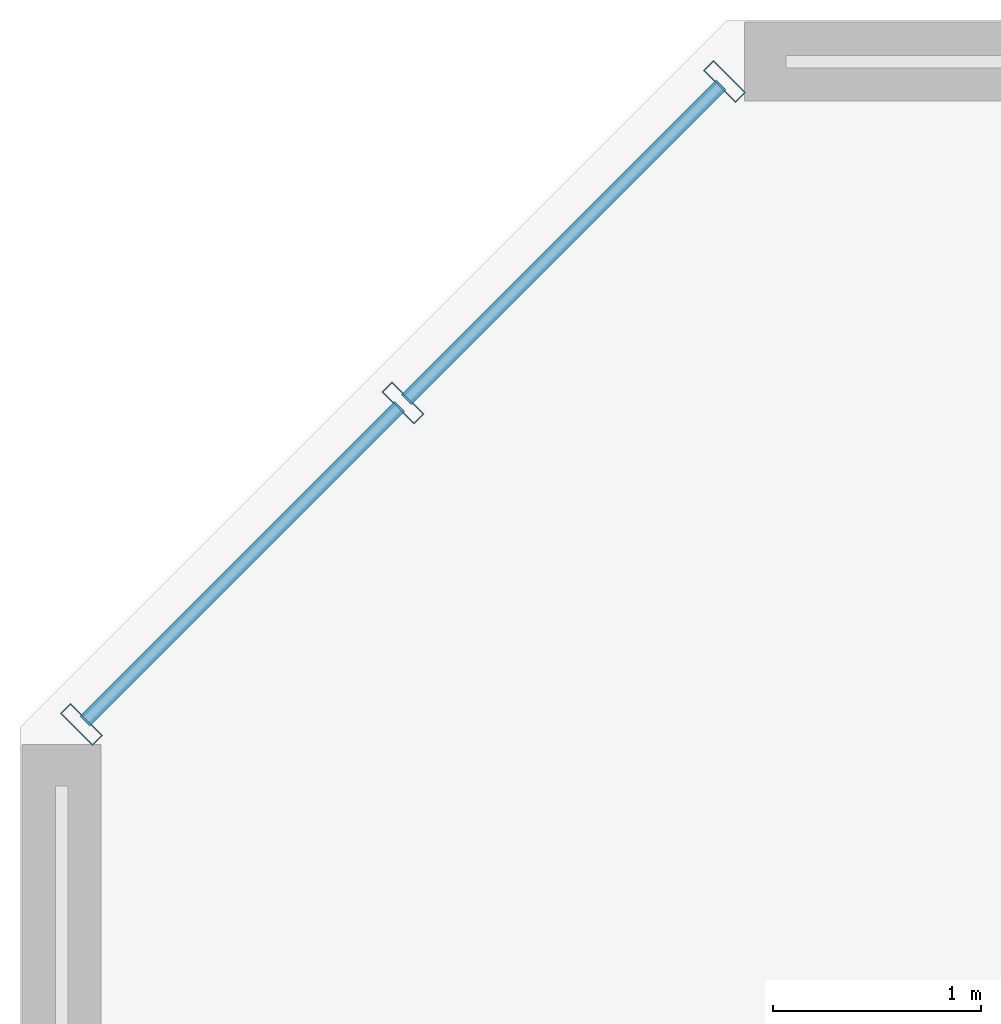
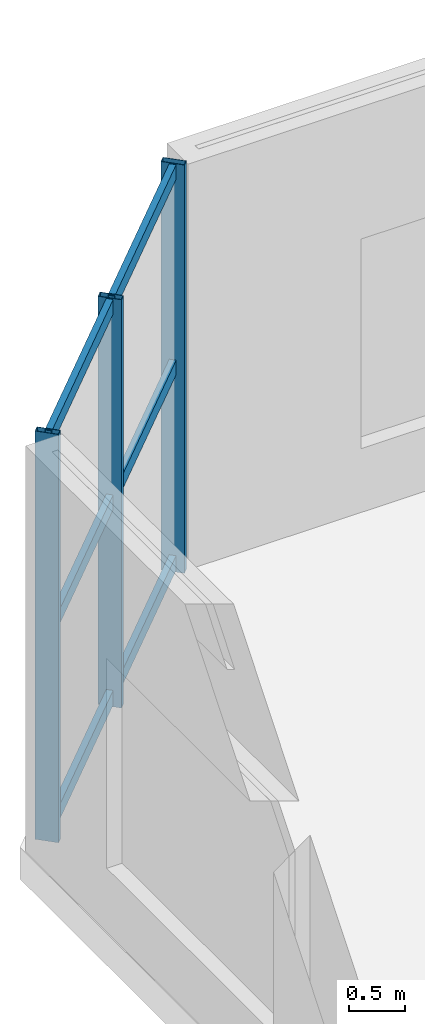
# One storey, part 4 of 22: 9 members, 1 element without a shape of its own.
"""IFC4 building model written with IfcOpenShell, lengths in metres."""

from ifc_helpers import new_model, si_unit, direction, frame, origin, origin_2d, place, context, subcontext, project, spatial, hollow_rectangle, extrude, source, transform, mapped, material, material_profile, profile_set, type_object, element, aggregate, save


model = new_model("IFC4")

# Units and contexts
model_context = context("Model", 3, precision=1e-05, world=origin(), true_north=direction((0.0, 1.0)))
body_context = subcontext(model_context, "Body", "Model", "MODEL_VIEW")
ifc_project = project(units=[si_unit("LENGTHUNIT", "METRE"), si_unit("AREAUNIT", "SQUARE_METRE"), si_unit("VOLUMEUNIT", "CUBIC_METRE"), si_unit("PLANEANGLEUNIT", "RADIAN"), si_unit("MASSUNIT", "GRAM", prefix="KILO")], contexts=[model_context])

# Site, building, storey
site_placement = place(None, origin())
site = spatial("IfcSite", under=ifc_project, at=site_placement, CompositionType="ELEMENT")
building_placement = place(site_placement, origin())
building = spatial("IfcBuilding", under=site, at=building_placement, Name="Tlacorven Tower", CompositionType="ELEMENT")
storey_placement = place(building_placement, frame((0.0, 0.0, 5.39990234375)))
storey = spatial("IfcBuildingStorey", under=building, at=storey_placement, Name="L01", CompositionType="ELEMENT", Elevation=5.39990234375)

# Curtain wall, members
ifc_material_1 = material(Name="Dark solar low-E double glazing in aluminium frame", Category="aluminium")
curtain_wall_type = type_object("IfcCurtainWallType", Name="CW-STN-CONCOURSE", PredefinedType="USERDEFINED", material=ifc_material_1)
curtain_wall_placement = place(storey_placement, origin())
curtain_wall = element("IfcCurtainWall", 1, at=curtain_wall_placement, inside=storey, type_object=curtain_wall_type, Name="L01 Podium Chamfer Curtain Wall 3", ObjectType="UNITISED CURTAIN WALL", PredefinedType="USERDEFINED")
ifc_material_2 = material(Name="Aluminium 6063-T6 anodised", Category="aluminium")
ifc_material_profile_1 = material_profile(ifc_material_2, hollow_rectangle(XDim=0.06494140625, YDim=0.159912109375, WallThickness=0.00390625, at=origin_2d()), Name="ALU TRANSOM 65X160")
ifc_profile_set_1 = profile_set([ifc_material_profile_1], Name="Aluminium 6063-T6 anodised")
member_type_1 = type_object("IfcMemberType", Name="CWT-01", PredefinedType="USERDEFINED", material=ifc_profile_set_1)
shared_shape_1 = source(origin(), body_context, "Body", "SweptSolid", [
    extrude(hollow_rectangle(XDim=0.06494140625, YDim=0.159912109375, WallThickness=0.00390625, at=origin_2d()), origin(), (0.0, 0.0, 1.0), 2.140380859375),
])
member_1_placement = place(storey_placement, frame((1.711669921875, 43.228759765625, 0.080078125), z_axis=(0.707049749547, 0.707163808226, 0.0), x_axis=(-0.707163808226, 0.707049749547, 0.0)))
member_1 = element("IfcMember", 2, at=member_1_placement, type_object=member_type_1, Name="CW-L01-006 Transom 1", ObjectType="TRANSOM", PredefinedType="USERDEFINED", context=body_context, shape_type="MappedRepresentation", body=[
    mapped(shared_shape_1, transform((0.0, 0.0, 0.0), scale=1.0)),
])
member_2_placement = place(storey_placement, frame((1.711669921875, 43.228759765625, 2.22509765625), z_axis=(0.707049749547, 0.707163808226, 0.0), x_axis=(-0.707163808226, 0.707049749547, 0.0)))
member_2 = element("IfcMember", 3, at=member_2_placement, type_object=member_type_1, Name="CW-L01-006 Transom 2", ObjectType="TRANSOM", PredefinedType="USERDEFINED", context=body_context, shape_type="MappedRepresentation", body=[
    mapped(shared_shape_1, transform((0.0, 0.0, 0.0), scale=1.0)),
])
member_3_placement = place(storey_placement, frame((1.711669921875, 43.228759765625, 4.3701171875), z_axis=(0.707049749547, 0.707163808226, 0.0), x_axis=(-0.707163808226, 0.707049749547, 0.0)))
member_3 = element("IfcMember", 4, at=member_3_placement, type_object=member_type_1, Name="CW-L01-006 Transom 3", ObjectType="TRANSOM", PredefinedType="USERDEFINED", context=body_context, shape_type="MappedRepresentation", body=[
    mapped(shared_shape_1, transform((0.0, 0.0, 0.0), scale=1.0)),
])
member_4_placement = place(storey_placement, frame((3.257568359375, 44.77490234375, 0.080078125), z_axis=(0.707163808226, 0.707049749547, 0.0), x_axis=(-0.707049749547, 0.707163808226, 0.0)))
member_4 = element("IfcMember", 5, at=member_4_placement, type_object=member_type_1, Name="CW-L01-006 Transom 4", ObjectType="TRANSOM", PredefinedType="USERDEFINED", context=body_context, shape_type="MappedRepresentation", body=[
    mapped(shared_shape_1, transform((0.0, 0.0, 0.0), scale=1.0)),
])
member_5_placement = place(storey_placement, frame((3.257568359375, 44.77490234375, 2.22509765625), z_axis=(0.707163808226, 0.707049749547, 0.0), x_axis=(-0.707049749547, 0.707163808226, 0.0)))
member_5 = element("IfcMember", 6, at=member_5_placement, type_object=member_type_1, Name="CW-L01-006 Transom 5", ObjectType="TRANSOM", PredefinedType="USERDEFINED", context=body_context, shape_type="MappedRepresentation", body=[
    mapped(shared_shape_1, transform((0.0, 0.0, 0.0), scale=1.0)),
])
member_6_placement = place(storey_placement, frame((3.257568359375, 44.77490234375, 4.3701171875), z_axis=(0.707163808226, 0.707049749547, 0.0), x_axis=(-0.707049749547, 0.707163808226, 0.0)))
member_6 = element("IfcMember", 7, at=member_6_placement, type_object=member_type_1, Name="CW-L01-006 Transom 6", ObjectType="TRANSOM", PredefinedType="USERDEFINED", context=body_context, shape_type="MappedRepresentation", body=[
    mapped(shared_shape_1, transform((0.0, 0.0, 0.0), scale=1.0)),
])
ifc_material_profile_2 = material_profile(ifc_material_2, hollow_rectangle(XDim=0.070068359375, YDim=0.219970703125, WallThickness=0.0048828125, at=origin_2d()), Name="ALU MULLION 70X220")
ifc_profile_set_2 = profile_set([ifc_material_profile_2], Name="Aluminium 6063-T6 anodised")
member_type_2 = type_object("IfcMemberType", Name="CWM-01", PredefinedType="MULLION", material=ifc_profile_set_2)
shared_shape_2 = source(origin(), body_context, "Body", "SweptSolid", [
    extrude(hollow_rectangle(XDim=0.070068359375, YDim=0.219970703125, WallThickness=0.0048828125, at=origin_2d()), origin(), (0.0, 0.0, 1.0), 4.480224609375),
])
member_7_placement = place(storey_placement, frame((1.695556640625, 43.212646484375, -0.02001953125), z_axis=(0.0, 0.0, 1.0), x_axis=(0.707106781187, 0.707106781187, 0.0)))
member_7 = element("IfcMember", 8, at=member_7_placement, type_object=member_type_2, Name="CW-L01-006 Mullion 1", PredefinedType="MULLION", context=body_context, shape_type="MappedRepresentation", body=[
    mapped(shared_shape_2, transform((0.0, 0.0, 0.0), scale=1.0)),
])
member_8_placement = place(storey_placement, frame((3.241455078125, 44.758544921875, -0.02001953125), z_axis=(0.0, 0.0, 1.0), x_axis=(0.707106781187, 0.707106781187, 0.0)))
member_8 = element("IfcMember", 9, at=member_8_placement, type_object=member_type_2, Name="CW-L01-006 Mullion 2", PredefinedType="MULLION", context=body_context, shape_type="MappedRepresentation", body=[
    mapped(shared_shape_2, transform((0.0, 0.0, 0.0), scale=1.0)),
])
member_9_placement = place(storey_placement, frame((4.787353515625, 46.304443359375, -0.02001953125), z_axis=(0.0, 0.0, 1.0), x_axis=(0.707106781187, 0.707106781187, 0.0)))
member_9 = element("IfcMember", 10, at=member_9_placement, type_object=member_type_2, Name="CW-L01-006 Mullion 3", PredefinedType="MULLION", context=body_context, shape_type="MappedRepresentation", body=[
    mapped(shared_shape_2, transform((0.0, 0.0, 0.0), scale=1.0)),
])
aggregate(curtain_wall, [member_7, member_8, member_9, member_1, member_2, member_3, member_4, member_5, member_6])

save(model, "model.ifc")
